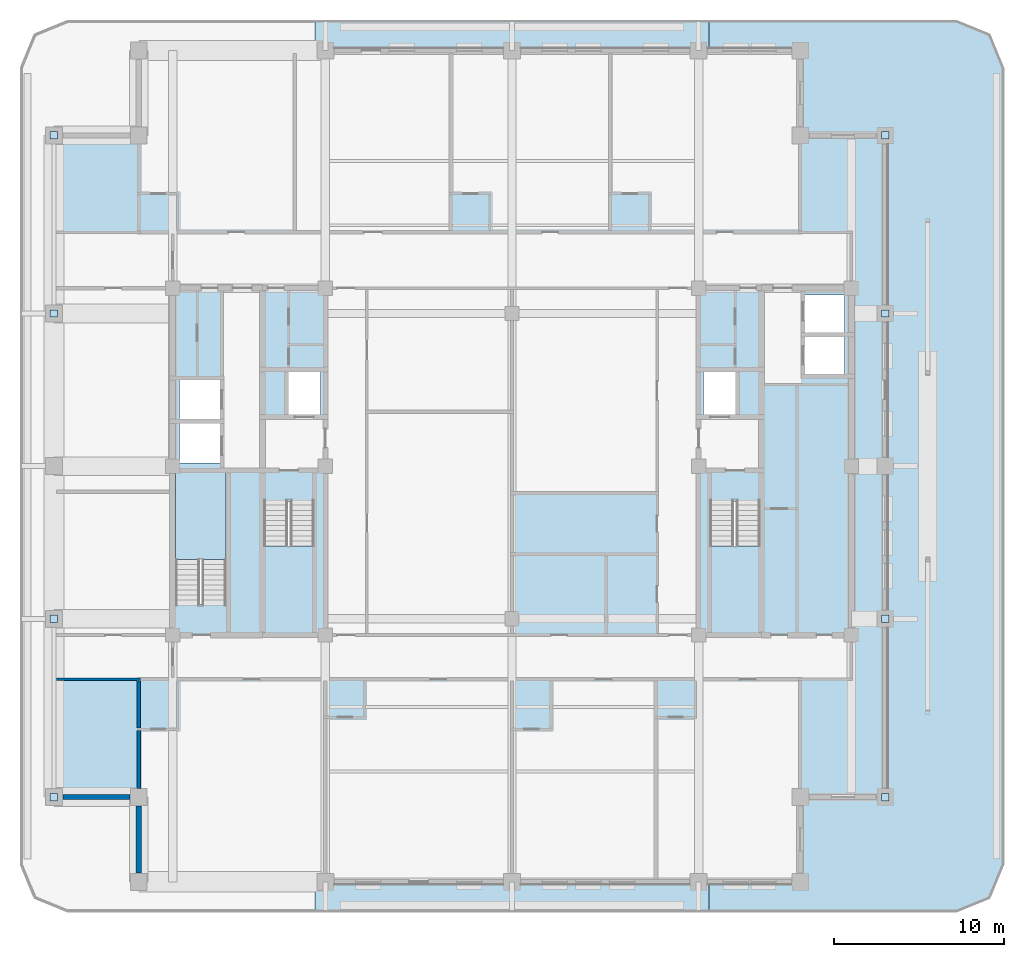
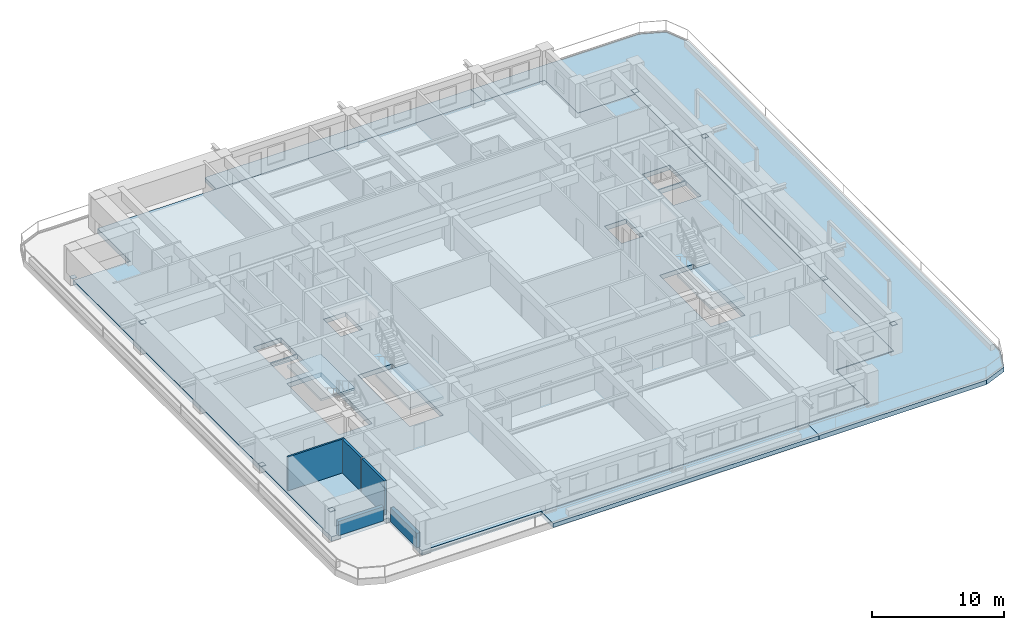
# One storey, part 5 of 18: 8 plates, 7 slabs, 5 walls, 3 elements without a shape of their own.
"""IFC4 building model written with IfcOpenShell, lengths in metres."""

from ifc_helpers import new_model, si_unit, direction, frame, frame_2d, origin, origin_2d, place, context, subcontext, project, spatial, polyline, rectangle, outline, extrude, material, layer, layer_set, type_object, element, aggregate, save


model = new_model("IFC4")

# Units and contexts
model_context = context("Model", 3, precision=1e-05, world=origin(), true_north=direction((0.0, 1.0)))
body_context = subcontext(model_context, "Body", "Model", "MODEL_VIEW")
ifc_project = project(units=[si_unit("LENGTHUNIT", "METRE"), si_unit("AREAUNIT", "SQUARE_METRE"), si_unit("VOLUMEUNIT", "CUBIC_METRE"), si_unit("PLANEANGLEUNIT", "RADIAN"), si_unit("MASSUNIT", "GRAM", prefix="KILO")], contexts=[model_context])

# Site, building, storey
site_placement = place(None, origin())
site = spatial("IfcSite", under=ifc_project, at=site_placement, CompositionType="ELEMENT")
building_placement = place(site_placement, origin())
building = spatial("IfcBuilding", under=site, at=building_placement, Name="Zulmaris Gate Convention Tower", CompositionType="ELEMENT")
storey_placement = place(building_placement, frame((0.0, 0.0, 191.4599609375)))
storey = spatial("IfcBuildingStorey", under=building, at=storey_placement, Name="L49", CompositionType="ELEMENT", Elevation=191.4599609375)

# Plates
ifc_material_1 = material(Name="Steel S460", Category="steel")
ifc_layer_1 = layer(ifc_material_1, 0.02490234375, Name="Steel S460")
ifc_layer_set_1 = layer_set([ifc_layer_1], Name="Steel S460")
plate_type = type_object("IfcPlateType", Name="NP-CAP-440", PredefinedType="USERDEFINED", material=ifc_layer_set_1)
for number, where, z_axis, x_axis, name in (
    (1, (-27.0, -9.0, 0.28759765625), (0.0, 0.0, 1.0), (1.0, 0.0, 0.0), "L49 Steel Node Plate PBR-L49-SW-W-CAP"),
    (2, (-27.0, -19.5, 2.492431640625), (0.0, 0.0, 1.0), (1.0, 0.0, 0.0), "L49 Steel Node Plate PBR-L49-SW-W-CAPB"),
    (3, (-27.0, 19.5, 0.28759765625), (0.0, 0.0, 1.0), (1.0, 0.0, 0.0), "L49 Steel Node Plate PBR-L49-NW-W-CAP"),
    (4, (-27.0, 9.0, 2.492431640625), (0.0, 0.0, 1.0), (1.0, 0.0, 0.0), "L49 Steel Node Plate PBR-L49-NW-W-CAPB"),
    (5, (22.0, -9.0, 0.28759765625), (0.0, 0.0, 1.0), (1.0, 0.0, 0.0), "L49 Steel Node Plate PBR-L49-SE-E-CAP"),
    (6, (22.0, -19.5, 2.492431640625), (0.0, 0.0, 1.0), (1.0, 0.0, 0.0), "L49 Steel Node Plate PBR-L49-SE-E-CAPB"),
    (7, (22.0, 19.5, 0.28759765625), (0.0, 0.0, 1.0), (1.0, 0.0, 0.0), "L49 Steel Node Plate PBR-L49-NE-E-CAP"),
    (8, (22.0, 9.0, 2.492431640625), (0.0, 0.0, 1.0), (1.0, 0.0, 0.0), "L49 Steel Node Plate PBR-L49-NE-E-CAPB"),
):
    element("IfcPlate", number, at=place(storey_placement, frame(where, z_axis=z_axis, x_axis=x_axis)), inside=storey, type_object=plate_type, Name=name, ObjectType="FLANGE PLATE", PredefinedType="USERDEFINED", context=body_context, shape_type="SweptSolid", body=[
        extrude(rectangle(XDim=0.43994140625, YDim=0.43994140625, at=origin_2d()), origin(), (0.0, 0.0, 1.0), 0.02490234375),
    ])

# Slab
ifc_material_2 = material(Name="Concrete C60/75", Category="concrete")
ifc_layer_2 = layer(ifc_material_2, 0.425048828125, Name="Concrete C60/75")
ifc_layer_set_2 = layer_set([ifc_layer_2], Name="Concrete C60/75")
slab_type_1 = type_object("IfcSlabType", Name="SL-FLR-425", PredefinedType="FLOOR", material=ifc_layer_set_2)
slab_1_placement = place(storey_placement, frame((0.0, 0.0, -0.425048828125)))
element("IfcSlab", 9, at=slab_1_placement, inside=storey, type_object=slab_type_1, Name="L49 Shifted Notched-Square Structural Floor Slab", PredefinedType="FLOOR", context=body_context, shape_type="SweptSolid", body=[
    extrude(outline(polyline([(-22.0, -24.5), (17.0, -24.5), (17.0, -19.5), (22.0, -19.5), (22.0, 19.5), (17.0, 19.5), (17.0, 24.5), (-22.0, 24.5), (-22.0, 19.5), (-27.0, 19.5), (-27.0, -19.5), (-22.0, -19.5), (-22.0, -24.5)]), holes=[polyline([(-14.6201171875, -2.080078125), (-14.6201171875, -9.85009765625), (-11.659912109375, -9.85009765625), (-11.659912109375, -2.080078125), (-14.6201171875, -2.080078125)]), polyline([(11.659912109375, -2.080078125), (11.659912109375, -9.85009765625), (14.6201171875, -9.85009765625), (14.6201171875, -2.080078125), (11.659912109375, -2.080078125)]), polyline([(-16.860107421875, -8.1201171875), (-16.860107421875, -0.35009765625), (-19.820068359375, -0.35009765625), (-19.820068359375, -8.1201171875), (-16.860107421875, -8.1201171875)]), polyline([(-13.199951171875, 3.0), (-11.300048828125, 3.0), (-11.300048828125, 5.60009765625), (-13.199951171875, 5.60009765625), (-13.199951171875, 3.0)]), polyline([(11.300048828125, 3.0), (13.199951171875, 3.0), (13.199951171875, 5.60009765625), (11.300048828125, 5.60009765625), (11.300048828125, 3.0)]), polyline([(17.199951171875, 5.39990234375), (19.60009765625, 5.39990234375), (19.60009765625, 7.699951171875), (17.199951171875, 7.699951171875), (17.199951171875, 5.39990234375)]), polyline([(17.199951171875, 7.800048828125), (19.60009765625, 7.800048828125), (19.60009765625, 10.10009765625), (17.199951171875, 10.10009765625), (17.199951171875, 7.800048828125)]), polyline([(-19.60009765625, 0.199951171875), (-17.199951171875, 0.199951171875), (-17.199951171875, 2.60009765625), (-19.60009765625, 2.60009765625), (-19.60009765625, 0.199951171875)]), polyline([(-19.60009765625, 2.699951171875), (-17.199951171875, 2.699951171875), (-17.199951171875, 5.10009765625), (-19.60009765625, 5.10009765625), (-19.60009765625, 2.699951171875)])]), origin(), (0.0, 0.0, 1.0), 0.425048828125),
])

# Stair, slab
ifc_material_3 = material(Name="Concrete C45/55", Category="concrete")
stair_type = type_object("IfcStairType", Name="ST-CORE-DOGLEG", PredefinedType="HALF_TURN_STAIR", material=ifc_material_3)
stair_1_placement = place(storey_placement, origin())
stair_1 = element("IfcStair", 10, at=stair_1_placement, inside=storey, type_object=stair_type, Name="L49 Core Exit Stair ST-1", PredefinedType="HALF_TURN_STAIR")
ifc_layer_3 = layer(ifc_material_3, 0.199951171875, Name="Concrete C45/55")
ifc_layer_set_3 = layer_set([ifc_layer_3], Name="Concrete C45/55")
slab_type_2 = type_object("IfcSlabType", Name="SL-LND-200", PredefinedType="LANDING", material=ifc_layer_set_3)
slab_2_placement = place(storey_placement, frame((0.0, 0.0, 1.5)))
slab_2 = element("IfcSlab", 11, at=slab_2_placement, type_object=slab_type_2, Name="ST-1 landing 1", PredefinedType="LANDING", context=body_context, shape_type="SweptSolid", body=[
    extrude(outline(polyline([(-14.6201171875, -4.699951171875), (-14.6201171875, -9.85009765625), (-11.659912109375, -9.85009765625), (-11.659912109375, -4.699951171875), (-14.6201171875, -4.699951171875)])), origin(), (0.0, 0.0, 1.0), 0.199951171875),
])
aggregate(stair_1, [slab_2])

stair_2_placement = place(storey_placement, origin())
stair_2 = element("IfcStair", 12, at=stair_2_placement, inside=storey, type_object=stair_type, Name="L49 Core Exit Stair ST-2", PredefinedType="HALF_TURN_STAIR")
slab_3_placement = place(storey_placement, frame((0.0, 0.0, 1.5)))
slab_3 = element("IfcSlab", 13, at=slab_3_placement, type_object=slab_type_2, Name="ST-2 landing 1", PredefinedType="LANDING", context=body_context, shape_type="SweptSolid", body=[
    extrude(outline(polyline([(11.659912109375, -4.699951171875), (11.659912109375, -9.85009765625), (14.6201171875, -9.85009765625), (14.6201171875, -4.699951171875), (11.659912109375, -4.699951171875)])), origin(), (0.0, 0.0, 1.0), 0.199951171875),
])
aggregate(stair_2, [slab_3])

stair_3_placement = place(storey_placement, origin())
stair_3 = element("IfcStair", 14, at=stair_3_placement, inside=storey, type_object=stair_type, Name="L49 Core Exit Stair ST-3", PredefinedType="HALF_TURN_STAIR")
slab_4_placement = place(storey_placement, frame((0.0, 0.0, 1.5)))
slab_4 = element("IfcSlab", 15, at=slab_4_placement, type_object=slab_type_2, Name="ST-3 landing 1", PredefinedType="LANDING", context=body_context, shape_type="SweptSolid", body=[
    extrude(outline(polyline([(-16.860107421875, -5.5), (-16.860107421875, -0.35009765625), (-19.820068359375, -0.35009765625), (-19.820068359375, -5.5), (-16.860107421875, -5.5)])), origin(), (0.0, 0.0, 1.0), 0.199951171875),
])
aggregate(stair_3, [slab_4])

# Slabs
ifc_material_4 = material(Name="Concrete C50/60", Category="concrete")
ifc_layer_4 = layer(ifc_material_4, 0.300048828125, Name="Concrete C50/60")
ifc_layer_set_4 = layer_set([ifc_layer_4], Name="Concrete C50/60")
slab_type_3 = type_object("IfcSlabType", Name="SL-SG-300", PredefinedType="FLOOR", material=ifc_layer_set_4)
slab_5_placement = place(storey_placement, frame((0.0, 0.0, -0.425048828125)))
element("IfcSlab", 16, at=slab_5_placement, inside=storey, type_object=slab_type_3, Name="L49 South Tree-Balcony Planter Slab", PredefinedType="FLOOR", context=body_context, shape_type="SweptSolid", body=[
    extrude(outline(polyline([(-11.597900390625, -26.300048828125), (-11.597900390625, -24.5), (11.597900390625, -24.5), (11.597900390625, -26.300048828125), (-11.597900390625, -26.300048828125)])), origin(), (0.0, 0.0, 1.0), 0.385009765625),
])
slab_6_placement = place(storey_placement, frame((0.0, 0.0, -0.425048828125)))
element("IfcSlab", 17, at=slab_6_placement, inside=storey, type_object=slab_type_3, Name="L49 North Tree-Balcony Planter Slab", PredefinedType="FLOOR", context=body_context, shape_type="SweptSolid", body=[
    extrude(outline(polyline([(11.597900390625, 26.300048828125), (11.597900390625, 24.5), (-11.597900390625, 24.5), (-11.597900390625, 26.300048828125), (11.597900390625, 26.300048828125)])), origin(), (0.0, 0.0, 1.0), 0.385009765625),
])
ifc_layer_5 = layer(ifc_material_4, 0.419921875, Name="Concrete C50/60")
ifc_layer_set_5 = layer_set([ifc_layer_5], Name="Concrete C50/60")
slab_type_4 = type_object("IfcSlabType", Name="SL-SG-420", PredefinedType="FLOOR", material=ifc_layer_set_5)
slab_7_placement = place(storey_placement, frame((0.0, 0.0, -0.4599609375)))
element("IfcSlab", 18, at=slab_7_placement, inside=storey, type_object=slab_type_4, Name="L49 East Block-End Planted Roof Terrace Slab", PredefinedType="FLOOR", context=body_context, shape_type="SweptSolid", body=[
    extrude(outline(polyline([(26.199951171875, 26.300048828125), (28.179931640625, 25.47998046875), (29.0, 23.5), (29.0, -23.5), (28.179931640625, -25.47998046875), (26.199951171875, -26.300048828125), (11.60205078125, -26.300048828125), (11.60205078125, -24.5), (17.0, -24.5), (17.0, -19.5), (22.0, -19.5), (22.0, 19.5), (17.0, 19.5), (17.0, 24.5), (11.60205078125, 24.5), (11.60205078125, 26.300048828125), (26.199951171875, 26.300048828125)])), origin(), (0.0, 0.0, 1.0), 0.419921875),
])

# Walls
ifc_material_5 = material(Name="Gypsum Metal Stud Partition")
ifc_layer_6 = layer(ifc_material_5, 0.14990234375, Name="Gypsum Metal Stud Partition")
ifc_layer_set_6 = layer_set([ifc_layer_6], Name="Gypsum Metal Stud Partition")
wall_type_1 = type_object("IfcWallType", Name="PART-150", PredefinedType="PARTITIONING", material=ifc_layer_set_6)
wall_1_placement = place(storey_placement, frame((-26.8349609375, -12.550048828125, 0.0), z_axis=(0.0, 0.0, 1.0), x_axis=(1.0, 0.0, 0.0)))
element("IfcWall", 19, at=wall_1_placement, inside=storey, type_object=wall_type_1, Name="WL-L49-023", PredefinedType="PARTITIONING", context=body_context, shape_type="SweptSolid", body=[
    extrude(rectangle(XDim=4.93505859375, YDim=0.14990234375, at=frame_2d((2.467529296875, 0.0))), origin(), (0.0, 0.0, 1.0), 3.125),
])
ifc_material_6 = material(Name="Autoclaved Aerated Concrete Block and Plasterboard", Category="concrete")
ifc_layer_7 = layer(ifc_material_6, 0.199951171875, Name="Autoclaved Aerated Concrete Block and Plasterboard")
ifc_layer_set_7 = layer_set([ifc_layer_7], Name="Autoclaved Aerated Concrete Block and Plasterboard")
wall_type_2 = type_object("IfcWallType", Name="PART-200", PredefinedType="PARTITIONING", material=ifc_layer_set_7)
wall_2_placement = place(storey_placement, frame((-22.0, -18.993896484375, 0.0), z_axis=(0.0, 0.0, 1.0), x_axis=(0.0, 1.0, 0.0)))
element("IfcWall", 20, at=wall_2_placement, inside=storey, type_object=wall_type_2, Name="WL-L49-076", PredefinedType="PARTITIONING", context=body_context, shape_type="SweptSolid", body=[
    extrude(rectangle(XDim=3.416015625, YDim=0.199951171875, at=frame_2d((1.7080078125, 0.0))), origin(), (0.0, 0.0, 1.0), 3.125),
])
wall_3_placement = place(storey_placement, frame((-22.0, -15.422119140625, 0.0), z_axis=(0.0, 0.0, 1.0), x_axis=(0.0, 1.0, 0.0)))
element("IfcWall", 21, at=wall_3_placement, inside=storey, type_object=wall_type_2, Name="WL-L49-077", PredefinedType="PARTITIONING", context=body_context, shape_type="SweptSolid", body=[
    extrude(rectangle(XDim=2.76904296875, YDim=0.199951171875, at=frame_2d((1.384521484375, 0.0))), origin(), (0.0, 0.0, 1.0), 3.125),
])
ifc_material_7 = material(Name="Precast concrete C40/50", Category="concrete")
ifc_layer_8 = layer(ifc_material_7, 0.300048828125, Name="Precast concrete C40/50")
ifc_layer_set_8 = layer_set([ifc_layer_8], Name="Precast concrete C40/50")
wall_type_3 = type_object("IfcWallType", Name="PRECAST-PIER-300", PredefinedType="STANDARD", material=ifc_layer_set_8)
for number, where, z_axis, x_axis, name in (
    (22, (-26.469970703125, -19.5, 0.0), (0.0, 0.0, 1.0), (1.0, 0.0, 0.0), "EW-L49-NOTCH-SW1_0"),
    (23, (-22.0, -20.030029296875, 0.0), (0.0, 0.0, 1.0), (0.0, -1.0, 0.0), "EW-L49-NOTCH-SW2_0"),
):
    element("IfcWall", number, at=place(storey_placement, frame(where, z_axis=z_axis, x_axis=x_axis)), inside=storey, type_object=wall_type_3, Name=name, PredefinedType="STANDARD", context=body_context, shape_type="SweptSolid", body=[
        extrude(rectangle(XDim=3.93994140625, YDim=0.300048828125, at=frame_2d((1.969970703125, 0.0))), origin(), (0.0, 0.0, 1.0), 1.31689453125),
    ])

save(model, "model.ifc")
